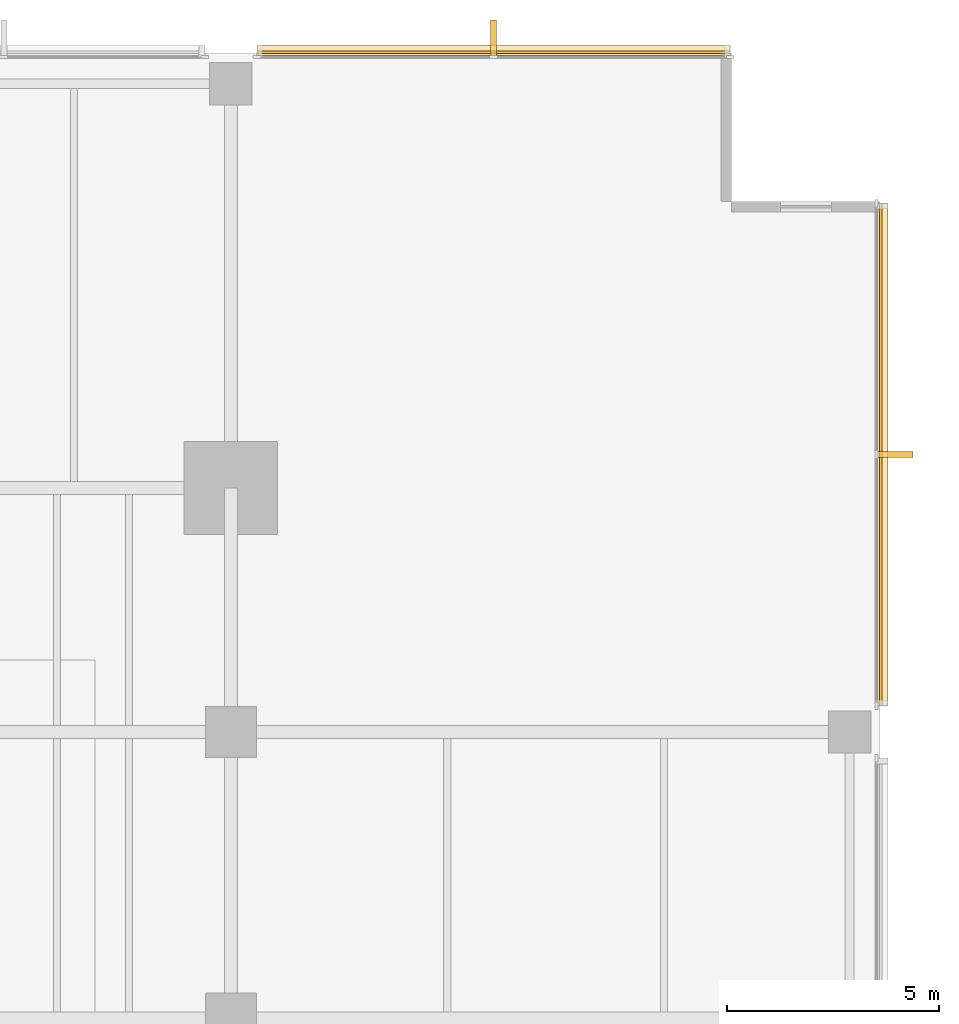
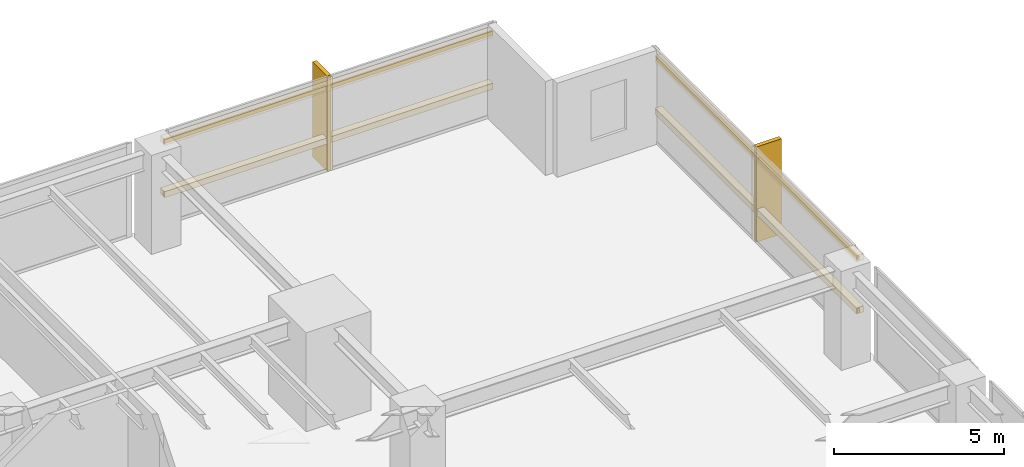
# One storey, part 15 of 15: 6 coverings, 4 shading devices.
"""IFC4 building model written with IfcOpenShell, lengths in metres."""

from ifc_helpers import new_model, si_unit, direction, frame, origin, origin_2d, place, context, subcontext, project, spatial, polyline, rectangle, outline, extrude, material, layer, layer_set, material_profile, profile_set, type_object, element, save


model = new_model("IFC4")

# Units and contexts
model_context = context("Model", 3, precision=1e-05, world=origin(), true_north=direction((0.0, 1.0)))
body_context = subcontext(model_context, "Body", "Model", "MODEL_VIEW")
ifc_project = project(units=[si_unit("LENGTHUNIT", "METRE"), si_unit("AREAUNIT", "SQUARE_METRE"), si_unit("VOLUMEUNIT", "CUBIC_METRE"), si_unit("PLANEANGLEUNIT", "RADIAN"), si_unit("MASSUNIT", "GRAM", prefix="KILO")], contexts=[model_context])

# Site, building, storey
site_placement = place(None, origin())
site = spatial("IfcSite", under=ifc_project, at=site_placement, CompositionType="ELEMENT")
building_placement = place(site_placement, origin())
building = spatial("IfcBuilding", under=site, at=building_placement, Name="Kinhvarn Gate Tower", CompositionType="ELEMENT")
storey_placement = place(building_placement, frame((0.0, 0.0, 85.949951171875)))
storey = spatial("IfcBuildingStorey", under=building, at=storey_placement, Name="L22", CompositionType="ELEMENT", Elevation=85.949951171875)

# Coverings
ifc_material = material(Name="Fired architectural terracotta", Category="masonry")
ifc_layer_1 = layer(ifc_material, 0.239990234375)
ifc_layer_set_1 = layer_set([ifc_layer_1], Name="Fired architectural terracotta")
covering_type_1 = type_object("IfcCoveringType", Name="COV-BAG-220", PredefinedType="CLADDING", material=ifc_layer_set_1)
covering_1_placement = place(storey_placement, frame((0.0, 0.0, 0.93994140625)))
element("IfcCovering", 1, at=covering_1_placement, inside=storey, type_object=covering_type_1, Name="Terracotta Horizontal Sunscreen Band TBG-220 (L22)", PredefinedType="CLADDING", context=body_context, shape_type="SweptSolid", body=[
    extrude(outline(polyline([(49.9599609375, 47.93994140625), (38.820068359375, 47.93994140625), (38.820068359375, 48.179931640625), (49.9599609375, 48.179931640625), (49.9599609375, 47.93994140625)])), origin(), (0.0, 0.0, 1.0), 0.22021484375),
])
covering_2_placement = place(storey_placement, frame((0.0, 0.0, 2.81005859375)))
element("IfcCovering", 2, at=covering_2_placement, inside=storey, type_object=covering_type_1, Name="Terracotta Horizontal Sunscreen Band TBG-220 (L22)", PredefinedType="CLADDING", context=body_context, shape_type="SweptSolid", body=[
    extrude(outline(polyline([(49.9599609375, 47.93994140625), (38.820068359375, 47.93994140625), (38.820068359375, 48.179931640625), (49.9599609375, 48.179931640625), (49.9599609375, 47.93994140625)])), origin(), (0.0, 0.0, 1.0), 0.219970703125),
])
covering_3_placement = place(storey_placement, frame((0.0, 0.0, 0.93994140625)))
element("IfcCovering", 3, at=covering_3_placement, inside=storey, type_object=covering_type_1, Name="Terracotta Horizontal Sunscreen Band TBG-220 (L22)", PredefinedType="CLADDING", context=body_context, shape_type="SweptSolid", body=[
    extrude(outline(polyline([(53.43994140625, 32.6201171875), (53.43994140625, 44.4599609375), (53.679931640625, 44.4599609375), (53.679931640625, 32.6201171875), (53.43994140625, 32.6201171875)])), origin(), (0.0, 0.0, 1.0), 0.22021484375),
])
covering_4_placement = place(storey_placement, frame((0.0, 0.0, 2.81005859375)))
element("IfcCovering", 4, at=covering_4_placement, inside=storey, type_object=covering_type_1, Name="Terracotta Horizontal Sunscreen Band TBG-220 (L22)", PredefinedType="CLADDING", context=body_context, shape_type="SweptSolid", body=[
    extrude(outline(polyline([(53.43994140625, 32.6201171875), (53.43994140625, 44.4599609375), (53.679931640625, 44.4599609375), (53.679931640625, 32.6201171875), (53.43994140625, 32.6201171875)])), origin(), (0.0, 0.0, 1.0), 0.219970703125),
])
ifc_layer_2 = layer(ifc_material, 0.139892578125)
ifc_layer_set_2 = layer_set([ifc_layer_2], Name="Fired architectural terracotta")
covering_type_2 = type_object("IfcCoveringType", Name="COV-FIN-850", PredefinedType="CLADDING", material=ifc_layer_set_2)
covering_5_placement = place(storey_placement, frame((0.0, 0.0, -0.02001953125)))
element("IfcCovering", 5, at=covering_5_placement, inside=storey, type_object=covering_type_2, Name="Vertical Terracotta Expressive Fin TFN-850 (L22)", PredefinedType="CLADDING", context=body_context, shape_type="SweptSolid", body=[
    extrude(outline(polyline([(44.4599609375, 47.929931640625), (44.320068359375, 47.929931640625), (44.320068359375, 48.780029296875), (44.4599609375, 48.780029296875), (44.4599609375, 47.929931640625)])), origin(), (0.0, 0.0, 1.0), 3.41015625),
])
covering_6_placement = place(storey_placement, frame((0.0, 0.0, -0.02001953125)))
element("IfcCovering", 6, at=covering_6_placement, inside=storey, type_object=covering_type_2, Name="Vertical Terracotta Expressive Fin TFN-850 (L22)", PredefinedType="CLADDING", context=body_context, shape_type="SweptSolid", body=[
    extrude(outline(polyline([(53.429931640625, 38.469970703125), (53.429931640625, 38.610107421875), (54.280029296875, 38.610107421875), (54.280029296875, 38.469970703125), (53.429931640625, 38.469970703125)])), origin(), (0.0, 0.0, 1.0), 3.41015625),
])

# Shading devices
ifc_material_profile = material_profile(ifc_material, rectangle(XDim=0.06005859375, YDim=0.139892578125, at=origin_2d()), Name="TC 60x140")
ifc_profile_set = profile_set([ifc_material_profile], Name="Fired architectural terracotta")
shading_device_type = type_object("IfcShadingDeviceType", Name="SHD-BAG-180", PredefinedType="USERDEFINED", material=ifc_profile_set)
for number, where, z_axis, x_axis, name in (
    (7, (49.9599609375, 48.014892578125, 1.050048828125), (-1.0, 0.0, 0.0), (0.0, -1.0, 0.0), "Fired Terracotta Baguette Screen Rod 60x140 mm (L22)"),
    (8, (49.9599609375, 48.014892578125, 2.920166015625), (-1.0, 0.0, 0.0), (0.0, -1.0, 0.0), "Fired Terracotta Baguette Screen Rod 60x140 mm (L22)"),
):
    element("IfcShadingDevice", number, at=place(storey_placement, frame(where, z_axis=z_axis, x_axis=x_axis)), inside=storey, type_object=shading_device_type, Name=name, ObjectType="BAGUETTE", PredefinedType="USERDEFINED", context=body_context, shape_type="SweptSolid", body=[
        extrude(rectangle(XDim=0.06005859375, YDim=0.139892578125, at=origin_2d()), origin(), (0.0, 0.0, 1.0), 11.139892578125),
    ])
for number, where, z_axis, x_axis, name in (
    (9, (53.514892578125, 32.6201171875, 1.050048828125), (0.0, 1.0, 0.0), (-1.0, 0.0, 0.0), "Fired Terracotta Baguette Screen Rod 60x140 mm (L22)"),
    (10, (53.514892578125, 32.6201171875, 2.920166015625), (0.0, 1.0, 0.0), (-1.0, 0.0, 0.0), "Fired Terracotta Baguette Screen Rod 60x140 mm (L22)"),
):
    element("IfcShadingDevice", number, at=place(storey_placement, frame(where, z_axis=z_axis, x_axis=x_axis)), inside=storey, type_object=shading_device_type, Name=name, ObjectType="BAGUETTE", PredefinedType="USERDEFINED", context=body_context, shape_type="SweptSolid", body=[
        extrude(rectangle(XDim=0.06005859375, YDim=0.139892578125, at=origin_2d()), origin(), (0.0, 0.0, 1.0), 11.83984375),
    ])

save(model, "model.ifc")
